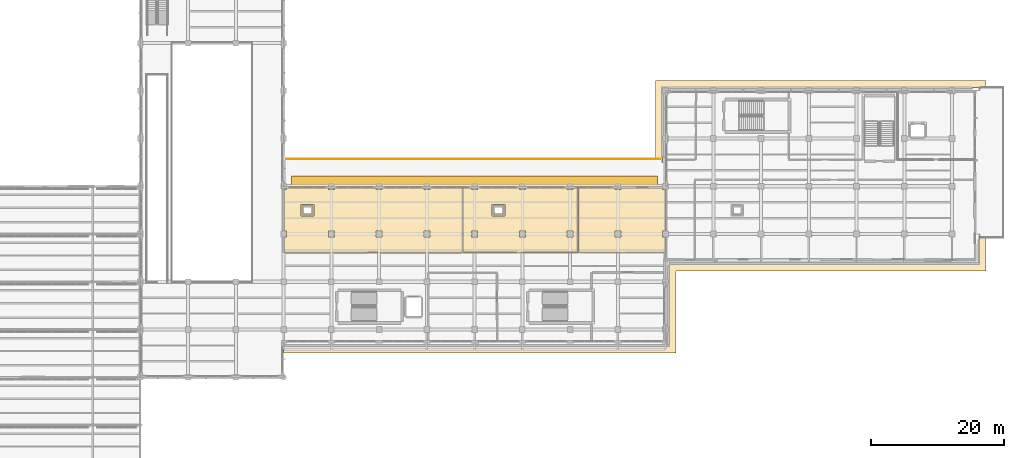
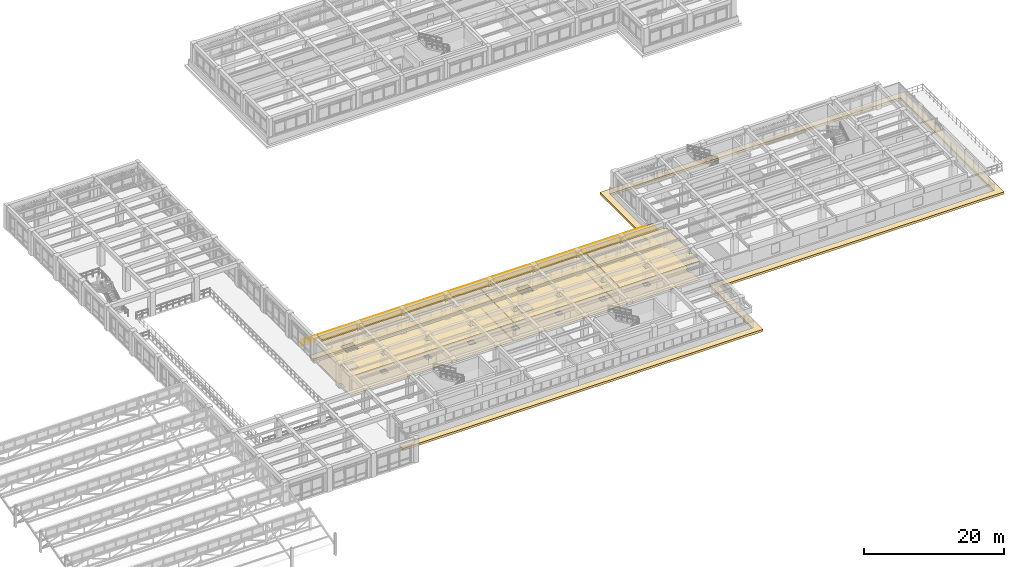
# One storey, part 92 of 98: 7 coverings, 1 railing, 1 shading device.
"""IFC4 building model written with IfcOpenShell, lengths in metres."""

from ifc_helpers import new_model, si_unit, direction, frame, origin, origin_2d, place, context, subcontext, project, spatial, polyline, rectangle, circle, outline, extrude, material, layer, layer_set, type_object, element, save


model = new_model("IFC4")

# Units and contexts
model_context = context("Model", 3, precision=1e-05, world=origin(), true_north=direction((0.0, 1.0)))
body_context = subcontext(model_context, "Body", "Model", "MODEL_VIEW")
ifc_project = project(units=[si_unit("LENGTHUNIT", "METRE"), si_unit("AREAUNIT", "SQUARE_METRE"), si_unit("VOLUMEUNIT", "CUBIC_METRE"), si_unit("PLANEANGLEUNIT", "RADIAN"), si_unit("MASSUNIT", "GRAM", prefix="KILO")], contexts=[model_context])

# Site, building, storey
site_placement = place(None, origin())
site = spatial("IfcSite", under=ifc_project, at=site_placement, CompositionType="ELEMENT")
building_placement = place(site_placement, origin())
building = spatial("IfcBuilding", under=site, at=building_placement, Name="Solenvale Faculty of Natural Sciences", CompositionType="ELEMENT")
storey_placement = place(building_placement, frame((0.0, 0.0, 9.0)))
storey = spatial("IfcBuildingStorey", under=building, at=storey_placement, Name="L02", CompositionType="ELEMENT", Elevation=9.0)

# Coverings
ifc_material_1 = material(Name="Acoustic mineral-timber ceiling", Category="wood")
ifc_layer_1 = layer(ifc_material_1, 0.02490234375)
ifc_layer_set_1 = layer_set([ifc_layer_1], Name="Acoustic mineral-timber ceiling")
covering_type_1 = type_object("IfcCoveringType", Name="COV-CEIL-AC25", PredefinedType="CEILING", material=ifc_layer_set_1)
covering_1_placement = place(storey_placement, frame((0.0, 0.0, 3.235107421875)))
element("IfcCovering", 1, at=covering_1_placement, inside=storey, type_object=covering_type_1, Name="L02 Terrace Ecology Laboratory Acoustic Ceiling", PredefinedType="CEILING", context=body_context, shape_type="SweptSolid", body=[
    extrude(outline(polyline([(64.320068359375, 42.9599609375), (64.34912109375, 42.93603515625), (64.35009765625, 42.759033203125), (64.361083984375, 42.75), (65.241943359375, 42.75), (65.2509765625, 42.93603515625), (65.280029296875, 42.9599609375), (71.52001953125, 42.9599609375), (71.549072265625, 42.93603515625), (71.550048828125, 42.759033203125), (71.56103515625, 42.75), (72.44189453125, 42.75), (72.450927734375, 42.93603515625), (72.47998046875, 42.9599609375), (78.719970703125, 42.9599609375), (78.7490234375, 42.93603515625), (78.75, 42.759033203125), (78.760986328125, 42.75), (79.64208984375, 42.75), (79.65087890625, 42.93603515625), (79.679931640625, 42.9599609375), (84.56396484375, 42.9560546875), (84.580078125, 42.929931640625), (84.575927734375, 33.256103515625), (84.550048828125, 33.239990234375), (57.653076171875, 33.2451171875), (57.639892578125, 33.27001953125), (57.639892578125, 35.52294921875), (57.6669921875, 35.550048828125), (58.049072265625, 35.555908203125), (58.050048828125, 36.43896484375), (58.0390625, 36.449951171875), (57.6669921875, 36.449951171875), (57.639892578125, 36.47705078125), (57.64501953125, 42.737060546875), (57.669921875, 42.75), (58.044921875, 42.7509765625), (58.051025390625, 42.93603515625), (58.080078125, 42.9599609375), (64.320068359375, 42.9599609375)]), holes=[polyline([(78.760986328125, 36.449951171875), (78.75, 36.43896484375), (78.7529296875, 35.552978515625), (79.64697265625, 35.552978515625), (79.64697265625, 36.447021484375), (78.760986328125, 36.449951171875)]), polyline([(71.56103515625, 36.449951171875), (71.550048828125, 36.43896484375), (71.552978515625, 35.552978515625), (72.447021484375, 35.552978515625), (72.447021484375, 36.447021484375), (71.56103515625, 36.449951171875)]), polyline([(65.25, 36.43896484375), (65.239013671875, 36.449951171875), (64.35302734375, 36.447021484375), (64.35302734375, 35.552978515625), (65.2470703125, 35.552978515625), (65.25, 36.43896484375)]), polyline([(62.159912109375, 40.431884765625), (62.14990234375, 40.451904296875), (62.1298828125, 40.4599609375), (60.25, 40.451904296875), (60.239990234375, 40.429931640625), (60.248046875, 38.75), (60.27001953125, 38.739990234375), (62.14990234375, 38.748046875), (62.159912109375, 38.77001953125), (62.159912109375, 40.431884765625)])]), origin(), (0.0, 0.0, 1.0), 0.02490234375),
])
covering_2_placement = place(storey_placement, frame((0.0, 0.0, 3.235107421875)))
element("IfcCovering", 2, at=covering_2_placement, inside=storey, type_object=covering_type_1, Name="L02 Graduate Research Office Acoustic Ceiling", PredefinedType="CEILING", context=body_context, shape_type="SweptSolid", body=[
    extrude(outline(polyline([(85.919921875, 42.9599609375), (85.948974609375, 42.93603515625), (85.949951171875, 42.759033203125), (85.9609375, 42.75), (86.842041015625, 42.75), (86.85107421875, 42.93603515625), (86.8798828125, 42.9599609375), (93.1201171875, 42.9599609375), (93.14892578125, 42.93603515625), (93.14990234375, 42.759033203125), (93.160888671875, 42.75), (94.0419921875, 42.75), (94.051025390625, 42.93603515625), (94.080078125, 42.9599609375), (100.320068359375, 42.9599609375), (100.34912109375, 42.93603515625), (100.35009765625, 42.759033203125), (100.361083984375, 42.75), (101.240966796875, 42.75), (101.25, 42.759033203125), (101.25, 42.93310546875), (101.27099609375, 42.958984375), (101.967041015625, 42.955078125), (101.97998046875, 42.929931640625), (101.97509765625, 33.2529296875), (101.949951171875, 33.239990234375), (84.653076171875, 33.2451171875), (84.639892578125, 33.27001953125), (84.639892578125, 42.93310546875), (84.669921875, 42.9599609375), (85.919921875, 42.9599609375)]), holes=[polyline([(101.25, 36.43896484375), (101.239013671875, 36.449951171875), (100.35302734375, 36.447021484375), (100.35302734375, 35.552978515625), (101.2470703125, 35.552978515625), (101.25, 36.43896484375)]), polyline([(93.160888671875, 36.449951171875), (93.14990234375, 36.43896484375), (93.153076171875, 35.552978515625), (94.047119140625, 35.552978515625), (94.047119140625, 36.447021484375), (93.160888671875, 36.449951171875)]), polyline([(90.9599609375, 40.431884765625), (90.949951171875, 40.451904296875), (90.929931640625, 40.4599609375), (89.050048828125, 40.451904296875), (89.0400390625, 40.429931640625), (89.048095703125, 38.75), (89.070068359375, 38.739990234375), (90.949951171875, 38.748046875), (90.9599609375, 38.77001953125), (90.9599609375, 40.431884765625)]), polyline([(86.85009765625, 36.43896484375), (86.839111328125, 36.449951171875), (85.952880859375, 36.447021484375), (85.952880859375, 35.552978515625), (86.846923828125, 35.552978515625), (86.85009765625, 36.43896484375)])]), origin(), (0.0, 0.0, 1.0), 0.02490234375),
])
covering_3_placement = place(storey_placement, frame((0.0, 0.0, 3.235107421875)))
element("IfcCovering", 3, at=covering_3_placement, inside=storey, type_object=covering_type_1, Name="L02 Seminar Room Acoustic Ceiling", PredefinedType="CEILING", context=body_context, shape_type="SweptSolid", body=[
    extrude(outline(polyline([(107.52001953125, 42.9599609375), (107.549072265625, 42.93603515625), (107.550048828125, 42.759033203125), (107.56103515625, 42.75), (108.44189453125, 42.75), (108.450927734375, 42.93603515625), (108.47998046875, 42.9599609375), (114.719970703125, 42.9599609375), (114.7490234375, 42.93603515625), (114.7548828125, 42.7509765625), (115.14990234375, 42.75), (115.173095703125, 42.739013671875), (115.179931640625, 36.47705078125), (115.153076171875, 36.449951171875), (114.760986328125, 36.449951171875), (114.75, 36.43896484375), (114.7509765625, 35.555908203125), (115.153076171875, 35.550048828125), (115.179931640625, 35.52294921875), (115.179931640625, 33.27001953125), (115.1689453125, 33.2470703125), (102.070068359375, 33.239990234375), (102.047119140625, 33.2509765625), (102.0439453125, 42.944091796875), (102.070068359375, 42.9599609375), (107.52001953125, 42.9599609375)]), holes=[polyline([(107.56103515625, 36.449951171875), (107.550048828125, 36.43896484375), (107.552978515625, 35.552978515625), (108.447021484375, 35.552978515625), (108.447021484375, 36.447021484375), (107.56103515625, 36.449951171875)])]), origin(), (0.0, 0.0, 1.0), 0.02490234375),
])
ifc_material_2 = material(Name="Polished slate terrazzo flooring", Category="masonry")
ifc_layer_2 = layer(ifc_material_2, 0.01806640625)
ifc_layer_set_2 = layer_set([ifc_layer_2], Name="Polished slate terrazzo flooring")
covering_type_2 = type_object("IfcCoveringType", Name="COV-FLR-TRZ18", PredefinedType="FLOORING", material=ifc_layer_set_2)
covering_4_placement = place(storey_placement, origin())
element("IfcCovering", 4, at=covering_4_placement, inside=storey, type_object=covering_type_2, Name="L02 Graduate Research Office Floor Finish", PredefinedType="FLOORING", context=body_context, shape_type="SweptSolid", body=[
    extrude(outline(polyline([(85.919921875, 42.9599609375), (85.948974609375, 42.93603515625), (85.949951171875, 42.759033203125), (85.9609375, 42.75), (86.842041015625, 42.75), (86.85107421875, 42.93603515625), (86.8798828125, 42.9599609375), (93.1201171875, 42.9599609375), (93.14892578125, 42.93603515625), (93.14990234375, 42.759033203125), (93.160888671875, 42.75), (94.0419921875, 42.75), (94.051025390625, 42.93603515625), (94.080078125, 42.9599609375), (100.320068359375, 42.9599609375), (100.34912109375, 42.93603515625), (100.35009765625, 42.759033203125), (100.361083984375, 42.75), (101.240966796875, 42.75), (101.25, 42.759033203125), (101.25, 42.93310546875), (101.27099609375, 42.958984375), (101.967041015625, 42.955078125), (101.97998046875, 42.929931640625), (101.97509765625, 33.2529296875), (101.949951171875, 33.239990234375), (84.653076171875, 33.2451171875), (84.639892578125, 33.27001953125), (84.639892578125, 42.93310546875), (84.669921875, 42.9599609375), (85.919921875, 42.9599609375)]), holes=[polyline([(101.25, 36.43896484375), (101.239013671875, 36.449951171875), (100.35302734375, 36.447021484375), (100.35302734375, 35.552978515625), (101.2470703125, 35.552978515625), (101.25, 36.43896484375)]), polyline([(93.160888671875, 36.449951171875), (93.14990234375, 36.43896484375), (93.153076171875, 35.552978515625), (94.047119140625, 35.552978515625), (94.047119140625, 36.447021484375), (93.160888671875, 36.449951171875)]), polyline([(90.9599609375, 40.431884765625), (90.949951171875, 40.451904296875), (90.929931640625, 40.4599609375), (89.050048828125, 40.451904296875), (89.0400390625, 40.429931640625), (89.048095703125, 38.75), (89.070068359375, 38.739990234375), (90.949951171875, 38.748046875), (90.9599609375, 38.77001953125), (90.9599609375, 40.431884765625)]), polyline([(86.85009765625, 36.43896484375), (86.839111328125, 36.449951171875), (85.952880859375, 36.447021484375), (85.952880859375, 35.552978515625), (86.846923828125, 35.552978515625), (86.85009765625, 36.43896484375)])]), origin(), (0.0, 0.0, 1.0), 0.01806640625),
])
covering_5_placement = place(storey_placement, origin())
element("IfcCovering", 5, at=covering_5_placement, inside=storey, type_object=covering_type_2, Name="L02 Seminar Room Floor Finish", PredefinedType="FLOORING", context=body_context, shape_type="SweptSolid", body=[
    extrude(outline(polyline([(107.52001953125, 42.9599609375), (107.549072265625, 42.93603515625), (107.550048828125, 42.759033203125), (107.56103515625, 42.75), (108.44189453125, 42.75), (108.450927734375, 42.93603515625), (108.47998046875, 42.9599609375), (114.719970703125, 42.9599609375), (114.7490234375, 42.93603515625), (114.7548828125, 42.7509765625), (115.14990234375, 42.75), (115.173095703125, 42.739013671875), (115.179931640625, 36.47705078125), (115.153076171875, 36.449951171875), (114.760986328125, 36.449951171875), (114.75, 36.43896484375), (114.7509765625, 35.555908203125), (115.153076171875, 35.550048828125), (115.179931640625, 35.52294921875), (115.179931640625, 33.27001953125), (115.1689453125, 33.2470703125), (102.070068359375, 33.239990234375), (102.047119140625, 33.2509765625), (102.0439453125, 42.944091796875), (102.070068359375, 42.9599609375), (107.52001953125, 42.9599609375)]), holes=[polyline([(107.56103515625, 36.449951171875), (107.550048828125, 36.43896484375), (107.552978515625, 35.552978515625), (108.447021484375, 35.552978515625), (108.447021484375, 36.447021484375), (107.56103515625, 36.449951171875)])]), origin(), (0.0, 0.0, 1.0), 0.01806640625),
])
ifc_material_3 = material(Name="Seamless laboratory vinyl flooring")
ifc_layer_3 = layer(ifc_material_3, 0.008056640625)
ifc_layer_set_3 = layer_set([ifc_layer_3], Name="Seamless laboratory vinyl flooring")
covering_type_3 = type_object("IfcCoveringType", Name="COV-FLR-VNL08", PredefinedType="FLOORING", material=ifc_layer_set_3)
covering_6_placement = place(storey_placement, origin())
element("IfcCovering", 6, at=covering_6_placement, inside=storey, type_object=covering_type_3, Name="L02 Terrace Ecology Laboratory Floor Finish", PredefinedType="FLOORING", context=body_context, shape_type="SweptSolid", body=[
    extrude(outline(polyline([(64.320068359375, 42.9599609375), (64.34912109375, 42.93603515625), (64.35009765625, 42.759033203125), (64.361083984375, 42.75), (65.241943359375, 42.75), (65.2509765625, 42.93603515625), (65.280029296875, 42.9599609375), (71.52001953125, 42.9599609375), (71.549072265625, 42.93603515625), (71.550048828125, 42.759033203125), (71.56103515625, 42.75), (72.44189453125, 42.75), (72.450927734375, 42.93603515625), (72.47998046875, 42.9599609375), (78.719970703125, 42.9599609375), (78.7490234375, 42.93603515625), (78.75, 42.759033203125), (78.760986328125, 42.75), (79.64208984375, 42.75), (79.65087890625, 42.93603515625), (79.679931640625, 42.9599609375), (84.56396484375, 42.9560546875), (84.580078125, 42.929931640625), (84.575927734375, 33.256103515625), (84.550048828125, 33.239990234375), (57.653076171875, 33.2451171875), (57.639892578125, 33.27001953125), (57.639892578125, 35.52294921875), (57.6669921875, 35.550048828125), (58.049072265625, 35.555908203125), (58.050048828125, 36.43896484375), (58.0390625, 36.449951171875), (57.6669921875, 36.449951171875), (57.639892578125, 36.47705078125), (57.64501953125, 42.737060546875), (57.669921875, 42.75), (58.044921875, 42.7509765625), (58.051025390625, 42.93603515625), (58.080078125, 42.9599609375), (64.320068359375, 42.9599609375)]), holes=[polyline([(78.760986328125, 36.449951171875), (78.75, 36.43896484375), (78.7529296875, 35.552978515625), (79.64697265625, 35.552978515625), (79.64697265625, 36.447021484375), (78.760986328125, 36.449951171875)]), polyline([(71.56103515625, 36.449951171875), (71.550048828125, 36.43896484375), (71.552978515625, 35.552978515625), (72.447021484375, 35.552978515625), (72.447021484375, 36.447021484375), (71.56103515625, 36.449951171875)]), polyline([(65.25, 36.43896484375), (65.239013671875, 36.449951171875), (64.35302734375, 36.447021484375), (64.35302734375, 35.552978515625), (65.2470703125, 35.552978515625), (65.25, 36.43896484375)]), polyline([(62.159912109375, 40.431884765625), (62.14990234375, 40.451904296875), (62.1298828125, 40.4599609375), (60.25, 40.451904296875), (60.239990234375, 40.429931640625), (60.248046875, 38.75), (60.27001953125, 38.739990234375), (62.14990234375, 38.748046875), (62.159912109375, 38.77001953125), (62.159912109375, 40.431884765625)])]), origin(), (0.0, 0.0, 1.0), 0.008056640625),
])
ifc_material_4 = material(Name="Insulated EPDM roofing membrane")
ifc_layer_4 = layer(ifc_material_4, 0.06494140625)
ifc_layer_set_4 = layer_set([ifc_layer_4], Name="Insulated EPDM roofing membrane")
covering_type_4 = type_object("IfcCoveringType", Name="COV-ROOF-MEMB", PredefinedType="ROOFING", material=ifc_layer_set_4)
covering_7_placement = place(storey_placement, frame((0.0, 0.0, -0.340087890625)))
element("IfcCovering", 7, at=covering_7_placement, inside=storey, type_object=covering_type_4, Name="L02 Projecting Horizontal Bronze Concrete Tray Ledge 1", PredefinedType="CLADDING", context=body_context, shape_type="SweptSolid", body=[
    extrude(outline(polyline([(113.64990234375, 44.75), (113.64990234375, 59.1298828125), (113.6640625, 59.14892578125), (163.530029296875, 59.14990234375), (163.549072265625, 59.135986328125), (163.550048828125, 30.469970703125), (163.5380859375, 30.451904296875), (116.75, 30.449951171875), (116.75, 18.070068359375), (116.7451171875, 18.056884765625), (116.73193359375, 18.050048828125), (57.570068359375, 18.050048828125), (57.552001953125, 18.06103515625), (57.550048828125, 19.10009765625), (57.555908203125, 19.114013671875), (57.570068359375, 19.1201171875), (115.679931640625, 19.1201171875), (115.679931640625, 31.5), (115.694091796875, 31.51904296875), (162.47998046875, 31.52001953125), (162.47998046875, 58.080078125), (114.719970703125, 58.080078125), (114.719970703125, 43.699951171875), (114.715087890625, 43.68701171875), (114.701904296875, 43.679931640625), (57.570068359375, 43.679931640625), (57.555908203125, 43.68603515625), (57.550048828125, 43.699951171875), (57.550048828125, 44.72998046875), (57.555908203125, 44.743896484375), (57.570068359375, 44.75), (113.64990234375, 44.75)])), origin(), (0.0, 0.0, 1.0), 0.380126953125),
])

# Railing
ifc_material_5 = material(Name="Stainless steel Grade 304", Category="steel")
railing_type = type_object("IfcRailingType", Name="RL-TERR-1100", PredefinedType="GUARDRAIL", material=ifc_material_5)
railing_placement = place(storey_placement, frame((57.719970703125, 47.320068359375, 0.0)))
element("IfcRailing", 8, at=railing_placement, inside=storey, type_object=railing_type, Name="L02 Terrace Guardrail 1.4", PredefinedType="GUARDRAIL", context=body_context, shape_type="SweptSolid", body=[
    extrude(circle(Radius=0.02392578125, at=origin_2d()), frame((0.0, 0.0, 1.09619140625), z_axis=(1.0, 0.0, 0.0), x_axis=(0.0, 1.0, 0.0)), (0.0, 0.0, 1.0), 56.719970703125),
    extrude(circle(Radius=0.01611328125, at=origin_2d()), frame((0.0, 0.0, 0.56005859375), z_axis=(1.0, 0.0, 0.0), x_axis=(0.0, 1.0, 0.0)), (0.0, 0.0, 1.0), 56.719970703125),
    extrude(circle(Radius=0.02099609375, at=origin_2d()), origin(), (0.0, 0.0, 1.0), 1.072021484375),
    extrude(circle(Radius=0.02099609375, at=origin_2d()), frame((1.0908203125, 0.0, 0.0)), (0.0, 0.0, 1.0), 1.072021484375),
    extrude(circle(Radius=0.02099609375, at=origin_2d()), frame((2.181640625, 0.0, 0.0)), (0.0, 0.0, 1.0), 1.072021484375),
    extrude(circle(Radius=0.02099609375, at=origin_2d()), frame((3.272216796875, 0.0, 0.0)), (0.0, 0.0, 1.0), 1.072021484375),
    extrude(circle(Radius=0.02099609375, at=origin_2d()), frame((4.363037109375, 0.0, 0.0)), (0.0, 0.0, 1.0), 1.072021484375),
    extrude(circle(Radius=0.02099609375, at=origin_2d()), frame((5.453857421875, 0.0, 0.0)), (0.0, 0.0, 1.0), 1.072021484375),
    extrude(circle(Radius=0.02099609375, at=origin_2d()), frame((6.544677734375, 0.0, 0.0)), (0.0, 0.0, 1.0), 1.072021484375),
    extrude(circle(Radius=0.02099609375, at=origin_2d()), frame((7.635498046875, 0.0, 0.0)), (0.0, 0.0, 1.0), 1.072021484375),
    extrude(circle(Radius=0.02099609375, at=origin_2d()), frame((8.72607421875, 0.0, 0.0)), (0.0, 0.0, 1.0), 1.072021484375),
    extrude(circle(Radius=0.02099609375, at=origin_2d()), frame((9.81689453125, 0.0, 0.0)), (0.0, 0.0, 1.0), 1.072021484375),
    extrude(circle(Radius=0.02099609375, at=origin_2d()), frame((10.90771484375, 0.0, 0.0)), (0.0, 0.0, 1.0), 1.072021484375),
    extrude(circle(Radius=0.02099609375, at=origin_2d()), frame((11.99853515625, 0.0, 0.0)), (0.0, 0.0, 1.0), 1.072021484375),
    extrude(circle(Radius=0.02099609375, at=origin_2d()), frame((13.089111328125, 0.0, 0.0)), (0.0, 0.0, 1.0), 1.072021484375),
    extrude(circle(Radius=0.02099609375, at=origin_2d()), frame((14.179931640625, 0.0, 0.0)), (0.0, 0.0, 1.0), 1.072021484375),
    extrude(circle(Radius=0.02099609375, at=origin_2d()), frame((15.270751953125, 0.0, 0.0)), (0.0, 0.0, 1.0), 1.072021484375),
    extrude(circle(Radius=0.02099609375, at=origin_2d()), frame((16.361572265625, 0.0, 0.0)), (0.0, 0.0, 1.0), 1.072021484375),
    extrude(circle(Radius=0.02099609375, at=origin_2d()), frame((17.452392578125, 0.0, 0.0)), (0.0, 0.0, 1.0), 1.072021484375),
    extrude(circle(Radius=0.02099609375, at=origin_2d()), frame((18.54296875, 0.0, 0.0)), (0.0, 0.0, 1.0), 1.072021484375),
    extrude(circle(Radius=0.02099609375, at=origin_2d()), frame((19.6337890625, 0.0, 0.0)), (0.0, 0.0, 1.0), 1.072021484375),
    extrude(circle(Radius=0.02099609375, at=origin_2d()), frame((20.724609375, 0.0, 0.0)), (0.0, 0.0, 1.0), 1.072021484375),
    extrude(circle(Radius=0.02099609375, at=origin_2d()), frame((21.8154296875, 0.0, 0.0)), (0.0, 0.0, 1.0), 1.072021484375),
    extrude(circle(Radius=0.02099609375, at=origin_2d()), frame((22.90625, 0.0, 0.0)), (0.0, 0.0, 1.0), 1.072021484375),
    extrude(circle(Radius=0.02099609375, at=origin_2d()), frame((23.996826171875, 0.0, 0.0)), (0.0, 0.0, 1.0), 1.072021484375),
    extrude(circle(Radius=0.02099609375, at=origin_2d()), frame((25.087646484375, 0.0, 0.0)), (0.0, 0.0, 1.0), 1.072021484375),
    extrude(circle(Radius=0.02099609375, at=origin_2d()), frame((26.178466796875, 0.0, 0.0)), (0.0, 0.0, 1.0), 1.072021484375),
    extrude(circle(Radius=0.02099609375, at=origin_2d()), frame((27.269287109375, 0.0, 0.0)), (0.0, 0.0, 1.0), 1.072021484375),
    extrude(circle(Radius=0.02099609375, at=origin_2d()), frame((28.35986328125, 0.0, 0.0)), (0.0, 0.0, 1.0), 1.072021484375),
    extrude(circle(Radius=0.02099609375, at=origin_2d()), frame((29.45068359375, 0.0, 0.0)), (0.0, 0.0, 1.0), 1.072021484375),
    extrude(circle(Radius=0.02099609375, at=origin_2d()), frame((30.54150390625, 0.0, 0.0)), (0.0, 0.0, 1.0), 1.072021484375),
    extrude(circle(Radius=0.02099609375, at=origin_2d()), frame((31.63232421875, 0.0, 0.0)), (0.0, 0.0, 1.0), 1.072021484375),
    extrude(circle(Radius=0.02099609375, at=origin_2d()), frame((32.72314453125, 0.0, 0.0)), (0.0, 0.0, 1.0), 1.072021484375),
    extrude(circle(Radius=0.02099609375, at=origin_2d()), frame((33.813720703125, 0.0, 0.0)), (0.0, 0.0, 1.0), 1.072021484375),
    extrude(circle(Radius=0.02099609375, at=origin_2d()), frame((34.904541015625, 0.0, 0.0)), (0.0, 0.0, 1.0), 1.072021484375),
    extrude(circle(Radius=0.02099609375, at=origin_2d()), frame((35.995361328125, 0.0, 0.0)), (0.0, 0.0, 1.0), 1.072021484375),
    extrude(circle(Radius=0.02099609375, at=origin_2d()), frame((37.086181640625, 0.0, 0.0)), (0.0, 0.0, 1.0), 1.072021484375),
    extrude(circle(Radius=0.02099609375, at=origin_2d()), frame((38.177001953125, 0.0, 0.0)), (0.0, 0.0, 1.0), 1.072021484375),
    extrude(circle(Radius=0.02099609375, at=origin_2d()), frame((39.267578125, 0.0, 0.0)), (0.0, 0.0, 1.0), 1.072021484375),
    extrude(circle(Radius=0.02099609375, at=origin_2d()), frame((40.3583984375, 0.0, 0.0)), (0.0, 0.0, 1.0), 1.072021484375),
    extrude(circle(Radius=0.02099609375, at=origin_2d()), frame((41.44921875, 0.0, 0.0)), (0.0, 0.0, 1.0), 1.072021484375),
    extrude(circle(Radius=0.02099609375, at=origin_2d()), frame((42.5400390625, 0.0, 0.0)), (0.0, 0.0, 1.0), 1.072021484375),
    extrude(circle(Radius=0.02099609375, at=origin_2d()), frame((43.630859375, 0.0, 0.0)), (0.0, 0.0, 1.0), 1.072021484375),
    extrude(circle(Radius=0.02099609375, at=origin_2d()), frame((44.721435546875, 0.0, 0.0)), (0.0, 0.0, 1.0), 1.072021484375),
    extrude(circle(Radius=0.02099609375, at=origin_2d()), frame((45.812255859375, 0.0, 0.0)), (0.0, 0.0, 1.0), 1.072021484375),
    extrude(circle(Radius=0.02099609375, at=origin_2d()), frame((46.903076171875, 0.0, 0.0)), (0.0, 0.0, 1.0), 1.072021484375),
    extrude(circle(Radius=0.02099609375, at=origin_2d()), frame((47.993896484375, 0.0, 0.0)), (0.0, 0.0, 1.0), 1.072021484375),
    extrude(circle(Radius=0.02099609375, at=origin_2d()), frame((49.08447265625, 0.0, 0.0)), (0.0, 0.0, 1.0), 1.072021484375),
    extrude(circle(Radius=0.02099609375, at=origin_2d()), frame((50.17529296875, 0.0, 0.0)), (0.0, 0.0, 1.0), 1.072021484375),
    extrude(circle(Radius=0.02099609375, at=origin_2d()), frame((51.26611328125, 0.0, 0.0)), (0.0, 0.0, 1.0), 1.072021484375),
    extrude(circle(Radius=0.02099609375, at=origin_2d()), frame((52.35693359375, 0.0, 0.0)), (0.0, 0.0, 1.0), 1.072021484375),
    extrude(circle(Radius=0.02099609375, at=origin_2d()), frame((53.44775390625, 0.0, 0.0)), (0.0, 0.0, 1.0), 1.072021484375),
    extrude(circle(Radius=0.02099609375, at=origin_2d()), frame((54.538330078125, 0.0, 0.0)), (0.0, 0.0, 1.0), 1.072021484375),
    extrude(circle(Radius=0.02099609375, at=origin_2d()), frame((55.629150390625, 0.0, 0.0)), (0.0, 0.0, 1.0), 1.072021484375),
    extrude(circle(Radius=0.02099609375, at=origin_2d()), frame((56.719970703125, 0.0, 0.0)), (0.0, 0.0, 1.0), 1.072021484375),
])

# Shading device
ifc_material_6 = material(Name="Anodised bronze aluminium", Category="aluminium")
shading_device_type = type_object("IfcShadingDeviceType", Name="SHD-LVR-1800x1200", PredefinedType="JALOUSIE", material=ifc_material_6)
shading_device_placement = place(storey_placement, frame((86.39990234375, 43.949951171875, 3.0), z_axis=(0.0, 0.0, 1.0), x_axis=(1.0, 0.0, 0.0)))
element("IfcShadingDevice", 9, at=shading_device_placement, inside=storey, type_object=shading_device_type, Name="L02 Shaded Terrace Overhang Canopy 1", PredefinedType="JALOUSIE", context=body_context, shape_type="SweptSolid", body=[
    extrude(rectangle(XDim=55.199951171875, YDim=1.64990234375, at=origin_2d()), origin(), (0.0, 0.0, 1.0), 0.239990234375),
])

save(model, "model.ifc")
